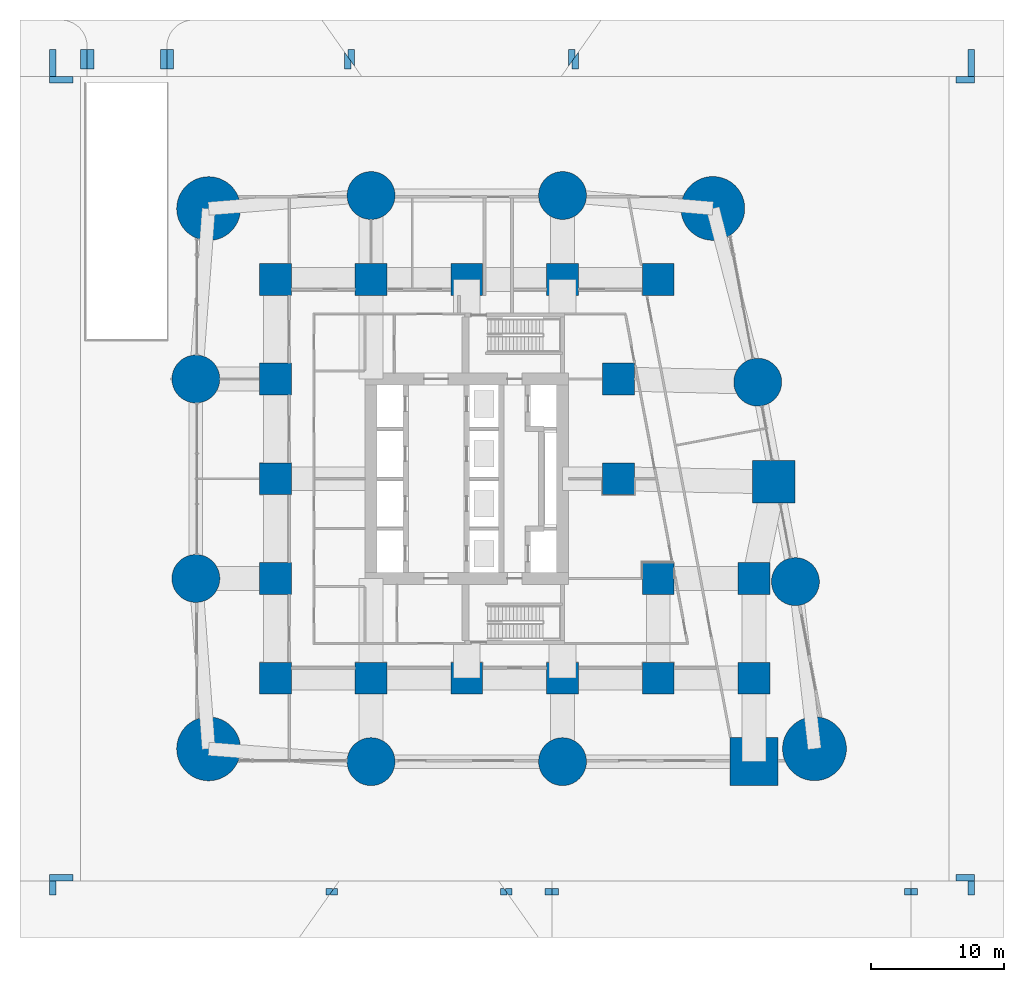
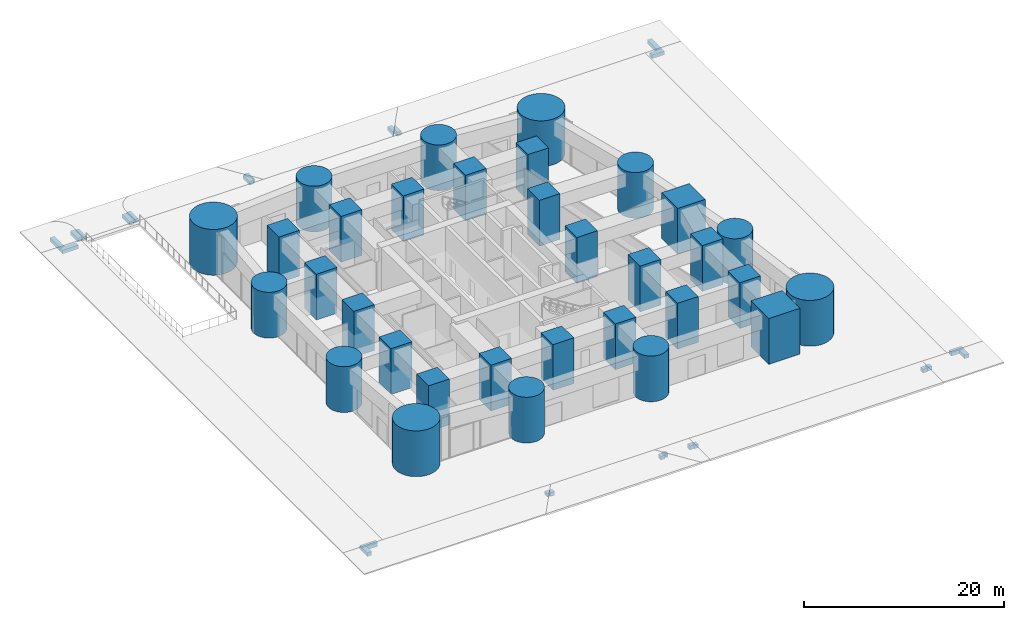
# One storey, part 1 of 16: 32 columns, 24 footings.
"""IFC4 building model written with IfcOpenShell, lengths in metres."""

from ifc_helpers import new_model, si_unit, direction, frame, origin, origin_2d, place, context, subcontext, project, spatial, polyline, rectangle, circle, outline, extrude, material, material_profile, profile_set, type_object, element, save


model = new_model("IFC4")

# Units and contexts
model_context = context("Model", 3, precision=1e-05, world=origin(), true_north=direction((0.0, 1.0)))
body_context = subcontext(model_context, "Body", "Model", "MODEL_VIEW")
ifc_project = project(units=[si_unit("LENGTHUNIT", "METRE"), si_unit("AREAUNIT", "SQUARE_METRE"), si_unit("VOLUMEUNIT", "CUBIC_METRE"), si_unit("PLANEANGLEUNIT", "RADIAN"), si_unit("MASSUNIT", "GRAM", prefix="KILO")], contexts=[model_context])

# Site, building, storey
site_placement = place(None, origin())
site = spatial("IfcSite", under=ifc_project, at=site_placement, CompositionType="ELEMENT")
building_placement = place(site_placement, origin())
building = spatial("IfcBuilding", under=site, at=building_placement, Name="Sheger Commons Tower", CompositionType="ELEMENT")
storey_placement = place(building_placement, origin())
storey = spatial("IfcBuildingStorey", under=building, at=storey_placement, Name="L00", CompositionType="ELEMENT", Elevation=0.0)

# Footings
ifc_material_1 = material(Name="Concrete C25/30", Category="concrete")
footing_type = type_object("IfcFootingType", Name="PAVING EDGE HAUNCH 500x450", PredefinedType="STRIP_FOOTING", material=ifc_material_1)
footing_1_placement = place(storey_placement, frame((0.0, 0.0, -0.675048828125)))
element("IfcFooting", 1, at=footing_1_placement, inside=storey, type_object=footing_type, Name="Paving edge haunch", PredefinedType="STRIP_FOOTING", context=body_context, shape_type="SweptSolid", body=[
    extrude(outline(polyline([(28.0, -8.800048828125), (28.5, -8.800048828125), (28.5, -8.300048828125), (28.0, -8.300048828125), (28.0, -8.800048828125)])), origin(), (0.0, 0.0, 1.0), 0.449951171875),
])
footing_2_placement = place(storey_placement, frame((0.0, 0.0, -0.675048828125)))
element("IfcFooting", 2, at=footing_2_placement, inside=storey, type_object=footing_type, Name="Paving edge haunch", PredefinedType="STRIP_FOOTING", context=body_context, shape_type="SweptSolid", body=[
    extrude(outline(polyline([(54.5, -8.800048828125), (55.0, -8.800048828125), (55.0, -8.300048828125), (54.5, -8.300048828125), (54.5, -8.800048828125)])), origin(), (0.0, 0.0, 1.0), 0.449951171875),
])
footing_3_placement = place(storey_placement, frame((0.0, 0.0, -0.675048828125)))
element("IfcFooting", 3, at=footing_3_placement, inside=storey, type_object=footing_type, Name="Paving edge haunch", PredefinedType="STRIP_FOOTING", context=body_context, shape_type="SweptSolid", body=[
    extrude(outline(polyline([(11.35888671875, -8.800048828125), (11.85888671875, -8.800048828125), (11.85888671875, -8.300048828125), (11.612060546875, -8.300048828125), (11.35888671875, -8.657958984375), (11.35888671875, -8.800048828125)])), origin(), (0.0, 0.0, 1.0), 0.449951171875),
])
footing_4_placement = place(storey_placement, frame((0.0, 0.0, -0.675048828125)))
element("IfcFooting", 4, at=footing_4_placement, inside=storey, type_object=footing_type, Name="Paving edge haunch", PredefinedType="STRIP_FOOTING", context=body_context, shape_type="SweptSolid", body=[
    extrude(outline(polyline([(24.14111328125, -8.800048828125), (24.64111328125, -8.800048828125), (24.64111328125, -8.657958984375), (24.387939453125, -8.300048828125), (24.14111328125, -8.300048828125), (24.14111328125, -8.800048828125)])), origin(), (0.0, 0.0, 1.0), 0.449951171875),
])
footing_5_placement = place(storey_placement, frame((0.0, 0.0, -0.675048828125)))
element("IfcFooting", 5, at=footing_5_placement, inside=storey, type_object=footing_type, Name="Paving edge haunch", PredefinedType="STRIP_FOOTING", context=body_context, shape_type="SweptSolid", body=[
    extrude(outline(polyline([(13.153076171875, 53.52490234375), (13.153076171875, 54.800048828125), (12.653076171875, 54.800048828125), (12.653076171875, 54.23291015625), (13.153076171875, 53.52490234375)])), origin(), (0.0, 0.0, 1.0), 0.449951171875),
])
footing_6_placement = place(storey_placement, frame((0.0, 0.0, -0.675048828125)))
element("IfcFooting", 6, at=footing_6_placement, inside=storey, type_object=footing_type, Name="Paving edge haunch", PredefinedType="STRIP_FOOTING", context=body_context, shape_type="SweptSolid", body=[
    extrude(outline(polyline([(29.2470703125, 53.52490234375), (29.7470703125, 54.23291015625), (29.7470703125, 54.800048828125), (29.2470703125, 54.800048828125), (29.2470703125, 53.52490234375)])), origin(), (0.0, 0.0, 1.0), 0.449951171875),
])
footing_7_placement = place(storey_placement, frame((0.0, 0.0, -0.675048828125)))
element("IfcFooting", 7, at=footing_7_placement, inside=storey, type_object=footing_type, Name="Paving edge haunch", PredefinedType="STRIP_FOOTING", context=body_context, shape_type="SweptSolid", body=[
    extrude(outline(polyline([(-6.949951171875, 53.300048828125), (-6.449951171875, 53.300048828125), (-6.449951171875, 54.800048828125), (-6.949951171875, 54.800048828125), (-6.949951171875, 53.300048828125)])), origin(), (0.0, 0.0, 1.0), 0.449951171875),
])
footing_8_placement = place(storey_placement, frame((0.0, 0.0, -0.675048828125)))
element("IfcFooting", 8, at=footing_8_placement, inside=storey, type_object=footing_type, Name="Paving edge haunch", PredefinedType="STRIP_FOOTING", context=body_context, shape_type="SweptSolid", body=[
    extrude(outline(polyline([(-1.449951171875, 53.300048828125), (-0.949951171875, 53.300048828125), (-0.949951171875, 54.800048828125), (-1.449951171875, 54.800048828125), (-1.449951171875, 53.300048828125)])), origin(), (0.0, 0.0, 1.0), 0.449951171875),
])
footing_9_placement = place(storey_placement, frame((0.0, 0.0, -0.60009765625)))
element("IfcFooting", 9, at=footing_9_placement, inside=storey, type_object=footing_type, Name="Paving edge haunch", PredefinedType="STRIP_FOOTING", context=body_context, shape_type="SweptSolid", body=[
    extrude(outline(polyline([(-9.800048828125, -8.800048828125), (-9.300048828125, -8.800048828125), (-9.300048828125, -7.75), (-9.800048828125, -7.75), (-9.800048828125, -8.800048828125)])), origin(), (0.0, 0.0, 1.0), 0.4501953125),
])
footing_10_placement = place(storey_placement, frame((0.0, 0.0, -0.60009765625)))
element("IfcFooting", 10, at=footing_10_placement, inside=storey, type_object=footing_type, Name="Paving edge haunch", PredefinedType="STRIP_FOOTING", context=body_context, shape_type="SweptSolid", body=[
    extrude(outline(polyline([(11.0, -8.800048828125), (11.259033203125, -8.800048828125), (11.5, -8.4580078125), (11.5, -8.300048828125), (11.0, -8.300048828125), (11.0, -8.800048828125)])), origin(), (0.0, 0.0, 1.0), 0.4501953125),
])
footing_11_placement = place(storey_placement, frame((0.0, 0.0, -0.60009765625)))
element("IfcFooting", 11, at=footing_11_placement, inside=storey, type_object=footing_type, Name="Paving edge haunch", PredefinedType="STRIP_FOOTING", context=body_context, shape_type="SweptSolid", body=[
    extrude(outline(polyline([(24.740966796875, -8.800048828125), (25.0, -8.800048828125), (25.0, -8.300048828125), (24.5, -8.300048828125), (24.5, -8.4580078125), (24.740966796875, -8.800048828125)])), origin(), (0.0, 0.0, 1.0), 0.4501953125),
])
footing_12_placement = place(storey_placement, frame((0.0, 0.0, -0.60009765625)))
element("IfcFooting", 12, at=footing_12_placement, inside=storey, type_object=footing_type, Name="Paving edge haunch", PredefinedType="STRIP_FOOTING", context=body_context, shape_type="SweptSolid", body=[
    extrude(outline(polyline([(27.5, -8.800048828125), (28.0, -8.800048828125), (28.0, -8.300048828125), (27.5, -8.300048828125), (27.5, -8.800048828125)])), origin(), (0.0, 0.0, 1.0), 0.4501953125),
])
footing_13_placement = place(storey_placement, frame((0.0, 0.0, -0.60009765625)))
element("IfcFooting", 13, at=footing_13_placement, inside=storey, type_object=footing_type, Name="Paving edge haunch", PredefinedType="STRIP_FOOTING", context=body_context, shape_type="SweptSolid", body=[
    extrude(outline(polyline([(55.0, -8.800048828125), (55.5, -8.800048828125), (55.5, -8.300048828125), (55.0, -8.300048828125), (55.0, -8.800048828125)])), origin(), (0.0, 0.0, 1.0), 0.4501953125),
])
footing_14_placement = place(storey_placement, frame((0.0, 0.0, -0.60009765625)))
element("IfcFooting", 14, at=footing_14_placement, inside=storey, type_object=footing_type, Name="Paving edge haunch", PredefinedType="STRIP_FOOTING", context=body_context, shape_type="SweptSolid", body=[
    extrude(outline(polyline([(59.300048828125, -8.800048828125), (59.800048828125, -8.800048828125), (59.800048828125, -7.75), (59.300048828125, -7.75), (59.300048828125, -8.800048828125)])), origin(), (0.0, 0.0, 1.0), 0.4501953125),
])
footing_15_placement = place(storey_placement, frame((0.0, 0.0, -0.60009765625)))
element("IfcFooting", 15, at=footing_15_placement, inside=storey, type_object=footing_type, Name="Paving edge haunch", PredefinedType="STRIP_FOOTING", context=body_context, shape_type="SweptSolid", body=[
    extrude(outline(polyline([(-9.800048828125, 52.75), (-9.300048828125, 52.75), (-9.300048828125, 54.800048828125), (-9.800048828125, 54.800048828125), (-9.800048828125, 52.75)])), origin(), (0.0, 0.0, 1.0), 0.4501953125),
])
footing_16_placement = place(storey_placement, frame((0.0, 0.0, -0.60009765625)))
element("IfcFooting", 16, at=footing_16_placement, inside=storey, type_object=footing_type, Name="Paving edge haunch", PredefinedType="STRIP_FOOTING", context=body_context, shape_type="SweptSolid", body=[
    extrude(outline(polyline([(-7.449951171875, 53.300048828125), (-6.949951171875, 53.300048828125), (-6.949951171875, 54.800048828125), (-7.449951171875, 54.800048828125), (-7.449951171875, 53.300048828125)])), origin(), (0.0, 0.0, 1.0), 0.4501953125),
])
footing_17_placement = place(storey_placement, frame((0.0, 0.0, -0.60009765625)))
element("IfcFooting", 17, at=footing_17_placement, inside=storey, type_object=footing_type, Name="Paving edge haunch", PredefinedType="STRIP_FOOTING", context=body_context, shape_type="SweptSolid", body=[
    extrude(outline(polyline([(-0.949951171875, 53.300048828125), (-0.449951171875, 53.300048828125), (-0.449951171875, 54.800048828125), (-0.949951171875, 54.800048828125), (-0.949951171875, 53.300048828125)])), origin(), (0.0, 0.0, 1.0), 0.4501953125),
])
footing_18_placement = place(storey_placement, frame((0.0, 0.0, -0.60009765625)))
element("IfcFooting", 18, at=footing_18_placement, inside=storey, type_object=footing_type, Name="Paving edge haunch", PredefinedType="STRIP_FOOTING", context=body_context, shape_type="SweptSolid", body=[
    extrude(outline(polyline([(12.39990234375, 53.300048828125), (12.89990234375, 53.300048828125), (12.89990234375, 53.883056640625), (12.39990234375, 54.592041015625), (12.39990234375, 53.300048828125)])), origin(), (0.0, 0.0, 1.0), 0.4501953125),
])
footing_19_placement = place(storey_placement, frame((0.0, 0.0, -0.60009765625)))
element("IfcFooting", 19, at=footing_19_placement, inside=storey, type_object=footing_type, Name="Paving edge haunch", PredefinedType="STRIP_FOOTING", context=body_context, shape_type="SweptSolid", body=[
    extrude(outline(polyline([(29.5, 53.300048828125), (30.0, 53.300048828125), (30.0, 54.592041015625), (29.5, 53.883056640625), (29.5, 53.300048828125)])), origin(), (0.0, 0.0, 1.0), 0.4501953125),
])
footing_20_placement = place(storey_placement, frame((0.0, 0.0, -0.60009765625)))
element("IfcFooting", 20, at=footing_20_placement, inside=storey, type_object=footing_type, Name="Paving edge haunch", PredefinedType="STRIP_FOOTING", context=body_context, shape_type="SweptSolid", body=[
    extrude(outline(polyline([(59.300048828125, 52.75), (59.800048828125, 52.75), (59.800048828125, 54.800048828125), (59.300048828125, 54.800048828125), (59.300048828125, 52.75)])), origin(), (0.0, 0.0, 1.0), 0.4501953125),
])
footing_21_placement = place(storey_placement, frame((0.0, 0.0, -0.60009765625)))
element("IfcFooting", 21, at=footing_21_placement, inside=storey, type_object=footing_type, Name="Paving edge haunch", PredefinedType="STRIP_FOOTING", context=body_context, shape_type="SweptSolid", body=[
    extrude(outline(polyline([(-9.800048828125, -7.75), (-8.0, -7.75), (-8.0, -7.25), (-9.800048828125, -7.25), (-9.800048828125, -7.75)])), origin(), (0.0, 0.0, 1.0), 0.4501953125),
])
footing_22_placement = place(storey_placement, frame((0.0, 0.0, -0.60009765625)))
element("IfcFooting", 22, at=footing_22_placement, inside=storey, type_object=footing_type, Name="Paving edge haunch", PredefinedType="STRIP_FOOTING", context=body_context, shape_type="SweptSolid", body=[
    extrude(outline(polyline([(-9.800048828125, 52.25), (-8.0, 52.25), (-8.0, 52.75), (-9.800048828125, 52.75), (-9.800048828125, 52.25)])), origin(), (0.0, 0.0, 1.0), 0.4501953125),
])
footing_23_placement = place(storey_placement, frame((0.0, 0.0, -0.60009765625)))
element("IfcFooting", 23, at=footing_23_placement, inside=storey, type_object=footing_type, Name="Paving edge haunch", PredefinedType="STRIP_FOOTING", context=body_context, shape_type="SweptSolid", body=[
    extrude(outline(polyline([(58.39990234375, -7.75), (59.800048828125, -7.75), (59.800048828125, -7.25), (58.39990234375, -7.25), (58.39990234375, -7.75)])), origin(), (0.0, 0.0, 1.0), 0.4501953125),
])
footing_24_placement = place(storey_placement, frame((0.0, 0.0, -0.60009765625)))
element("IfcFooting", 24, at=footing_24_placement, inside=storey, type_object=footing_type, Name="Paving edge haunch", PredefinedType="STRIP_FOOTING", context=body_context, shape_type="SweptSolid", body=[
    extrude(outline(polyline([(58.39990234375, 52.25), (59.800048828125, 52.25), (59.800048828125, 52.75), (58.39990234375, 52.75), (58.39990234375, 52.25)])), origin(), (0.0, 0.0, 1.0), 0.4501953125),
])

# Columns
ifc_material_2 = material(Name="Concrete C50/60", Category="concrete")
ifc_material_profile_1 = material_profile(ifc_material_2, rectangle(XDim=3.60009765625, YDim=3.60009765625, at=origin_2d()), Name="RC 3600x3600")
ifc_profile_set_1 = profile_set([ifc_material_profile_1], Name="Concrete C50/60")
column_type_1 = type_object("IfcColumnType", Name="COLUMN PILOTIS PIER RC 3600x3600", PredefinedType="COLUMN", material=ifc_profile_set_1)
column_1_placement = place(storey_placement, frame((43.199951171875, 1.22509765625, 0.0), z_axis=(0.0, 0.0, 1.0), x_axis=(1.0, 0.0, 0.0)))
element("IfcColumn", 25, at=column_1_placement, inside=storey, type_object=column_type_1, Name="Column 7/A L00", PredefinedType="COLUMN", context=body_context, shape_type="SweptSolid", body=[
    extrude(rectangle(XDim=3.60009765625, YDim=3.60009765625, at=origin_2d()), origin(), (0.0, 0.0, 1.0), 5.60009765625),
])
ifc_material_3 = material(Name="Concrete C50/60", Category="concrete")
ifc_material_profile_2 = material_profile(ifc_material_3, circle(Radius=1.800048828125, at=origin_2d()), Name="RC D3600")
ifc_profile_set_2 = profile_set([ifc_material_profile_2], Name="Concrete C50/60")
column_type_2 = type_object("IfcColumnType", Name="COLUMN PILOTIS RC D3600", PredefinedType="COLUMN", material=ifc_profile_set_2)
for number, where, z_axis, x_axis, name in (
    (26, (14.39990234375, 1.22509765625, 0.0), (0.0, 0.0, 1.0), (1.0, 0.0, 0.0), "Column 3/A L00"),
    (27, (28.800048828125, 1.22509765625, 0.0), (0.0, 0.0, 1.0), (1.0, 0.0, 0.0), "Column 5/A L00"),
    (28, (1.22509765625, 15.0, 0.0), (0.0, 0.0, 1.0), (1.0, 0.0, 0.0), "Column 1/C L00"),
    (29, (46.31396484375, 14.762939453125, 0.0), (0.0, 0.0, 1.0), (1.0, 0.0, 0.0), "Column E/C L00"),
    (30, (1.22509765625, 30.0, 0.0), (0.0, 0.0, 1.0), (1.0, 0.0, 0.0), "Column 1/E L00"),
    (31, (43.47998046875, 29.762939453125, 0.0), (0.0, 0.0, 1.0), (1.0, 0.0, 0.0), "Column E/E L00"),
    (32, (14.39990234375, 43.800048828125, 0.0), (0.0, 0.0, 1.0), (1.0, 0.0, 0.0), "Column 3/G L00"),
    (33, (28.800048828125, 43.800048828125, 0.0), (0.0, 0.0, 1.0), (1.0, 0.0, 0.0), "Column 5/G L00"),
):
    element("IfcColumn", number, at=place(storey_placement, frame(where, z_axis=z_axis, x_axis=x_axis)), inside=storey, type_object=column_type_2, Name=name, PredefinedType="COLUMN", context=body_context, shape_type="SweptSolid", body=[
        extrude(circle(Radius=1.800048828125, at=origin_2d()), origin(), (0.0, 0.0, 1.0), 5.60009765625),
    ])
ifc_material_4 = material(Name="Concrete C50/60", Category="concrete")
ifc_material_profile_3 = material_profile(ifc_material_4, circle(Radius=2.39990234375, at=origin_2d()), Name="RC D4800")
ifc_profile_set_3 = profile_set([ifc_material_profile_3], Name="Concrete C50/60")
column_type_3 = type_object("IfcColumnType", Name="COLUMN PILOTIS RC D4800", PredefinedType="COLUMN", material=ifc_profile_set_3)
for number, where, z_axis, x_axis, name in (
    (34, (2.18603515625, 2.18603515625, 0.0), (0.0, 0.0, 1.0), (1.0, 0.0, 0.0), "Column 0.630,0.630 L00"),
    (35, (47.748046875, 2.197021484375, 0.0), (0.0, 0.0, 1.0), (1.0, 0.0, 0.0), "Column 49.461,0.778 L00"),
    (36, (2.18603515625, 42.81396484375, 0.0), (0.0, 0.0, 1.0), (1.0, 0.0, 0.0), "Column 0.630,44.370 L00"),
    (37, (40.10205078125, 42.830078125, 0.0), (0.0, 0.0, 1.0), (1.0, 0.0, 0.0), "Column 41.490,44.505 L00"),
):
    element("IfcColumn", number, at=place(storey_placement, frame(where, z_axis=z_axis, x_axis=x_axis)), inside=storey, type_object=column_type_3, Name=name, PredefinedType="COLUMN", context=body_context, shape_type="SweptSolid", body=[
        extrude(circle(Radius=2.39990234375, at=origin_2d()), origin(), (0.0, 0.0, 1.0), 5.60009765625),
    ])
ifc_material_5 = material(Name="Concrete C50/60", Category="concrete")
ifc_material_profile_4 = material_profile(ifc_material_5, rectangle(XDim=2.39990234375, YDim=2.39990234375, at=origin_2d()), Name="RC 2400x2400")
ifc_profile_set_4 = profile_set([ifc_material_profile_4], Name="Concrete C50/60")
column_type_4 = type_object("IfcColumnType", Name="COLUMN RC 2400x2400", PredefinedType="COLUMN", material=ifc_profile_set_4)
for number, where, z_axis, x_axis, name in (
    (38, (7.199951171875, 7.5, 0.0), (0.0, 0.0, 1.0), (1.0, 0.0, 0.0), "Column 2/B L00"),
    (39, (14.39990234375, 7.5, 0.0), (0.0, 0.0, 1.0), (1.0, 0.0, 0.0), "Column 3/B L00"),
    (40, (21.60009765625, 7.5, 0.0), (0.0, 0.0, 1.0), (1.0, 0.0, 0.0), "Column 4/B L00"),
    (41, (28.800048828125, 7.5, 0.0), (0.0, 0.0, 1.0), (1.0, 0.0, 0.0), "Column 5/B L00"),
    (42, (36.0, 7.5, 0.0), (0.0, 0.0, 1.0), (1.0, 0.0, 0.0), "Column 6/B L00"),
    (43, (43.199951171875, 7.5, 0.0), (0.0, 0.0, 1.0), (1.0, 0.0, 0.0), "Column 7/B L00"),
    (44, (7.199951171875, 15.0, 0.0), (0.0, 0.0, 1.0), (1.0, 0.0, 0.0), "Column 2/C L00"),
    (45, (36.0, 15.0, 0.0), (0.0, 0.0, 1.0), (1.0, 0.0, 0.0), "Column 6/C L00"),
    (46, (43.199951171875, 15.0, 0.0), (0.0, 0.0, 1.0), (1.0, 0.0, 0.0), "Column 7/C L00"),
    (47, (7.199951171875, 22.5, 0.0), (0.0, 0.0, 1.0), (1.0, 0.0, 0.0), "Column 2/D L00"),
    (48, (33.0, 22.5, 0.0), (0.0, 0.0, 1.0), (1.0, 0.0, 0.0), "Column 6-3000/D L00"),
    (49, (7.199951171875, 30.0, 0.0), (0.0, 0.0, 1.0), (1.0, 0.0, 0.0), "Column 2/E L00"),
    (50, (33.0, 30.0, 0.0), (0.0, 0.0, 1.0), (1.0, 0.0, 0.0), "Column 6-3000/E L00"),
    (51, (7.199951171875, 37.5, 0.0), (0.0, 0.0, 1.0), (1.0, 0.0, 0.0), "Column 2/F L00"),
    (52, (14.39990234375, 37.5, 0.0), (0.0, 0.0, 1.0), (1.0, 0.0, 0.0), "Column 3/F L00"),
    (53, (21.60009765625, 37.5, 0.0), (0.0, 0.0, 1.0), (1.0, 0.0, 0.0), "Column 4/F L00"),
    (54, (28.800048828125, 37.5, 0.0), (0.0, 0.0, 1.0), (1.0, 0.0, 0.0), "Column 5/F L00"),
    (55, (36.0, 37.5, 0.0), (0.0, 0.0, 1.0), (1.0, 0.0, 0.0), "Column 6/F L00"),
):
    element("IfcColumn", number, at=place(storey_placement, frame(where, z_axis=z_axis, x_axis=x_axis)), inside=storey, type_object=column_type_4, Name=name, PredefinedType="COLUMN", context=body_context, shape_type="SweptSolid", body=[
        extrude(rectangle(XDim=2.39990234375, YDim=2.39990234375, at=origin_2d()), origin(), (0.0, 0.0, 1.0), 5.60009765625),
    ])
ifc_material_6 = material(Name="Concrete C50/60", Category="concrete")
ifc_material_profile_5 = material_profile(ifc_material_6, rectangle(XDim=3.199951171875, YDim=3.199951171875, at=origin_2d()), Name="RC 3200x3200")
ifc_profile_set_5 = profile_set([ifc_material_profile_5], Name="Concrete C50/60")
column_type_5 = type_object("IfcColumnType", Name="COLUMN RC 3200x3200", PredefinedType="COLUMN", material=ifc_profile_set_5)
column_2_placement = place(storey_placement, frame((44.697021484375, 22.262939453125, 0.0), z_axis=(0.0, 0.0, 1.0), x_axis=(1.0, 0.0, 0.0)))
element("IfcColumn", 56, at=column_2_placement, inside=storey, type_object=column_type_5, Name="Column 7/D L00", PredefinedType="COLUMN", context=body_context, shape_type="SweptSolid", body=[
    extrude(rectangle(XDim=3.199951171875, YDim=3.199951171875, at=origin_2d()), origin(), (0.0, 0.0, 1.0), 5.60009765625),
])

save(model, "model.ifc")
